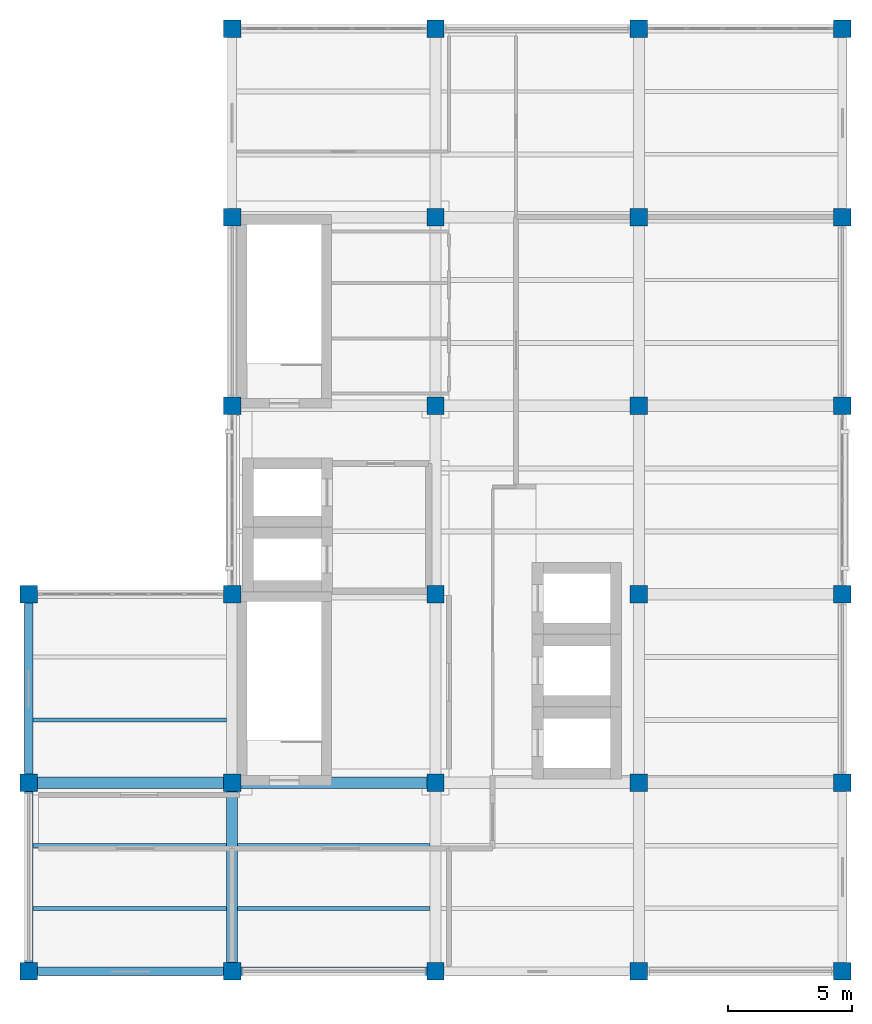
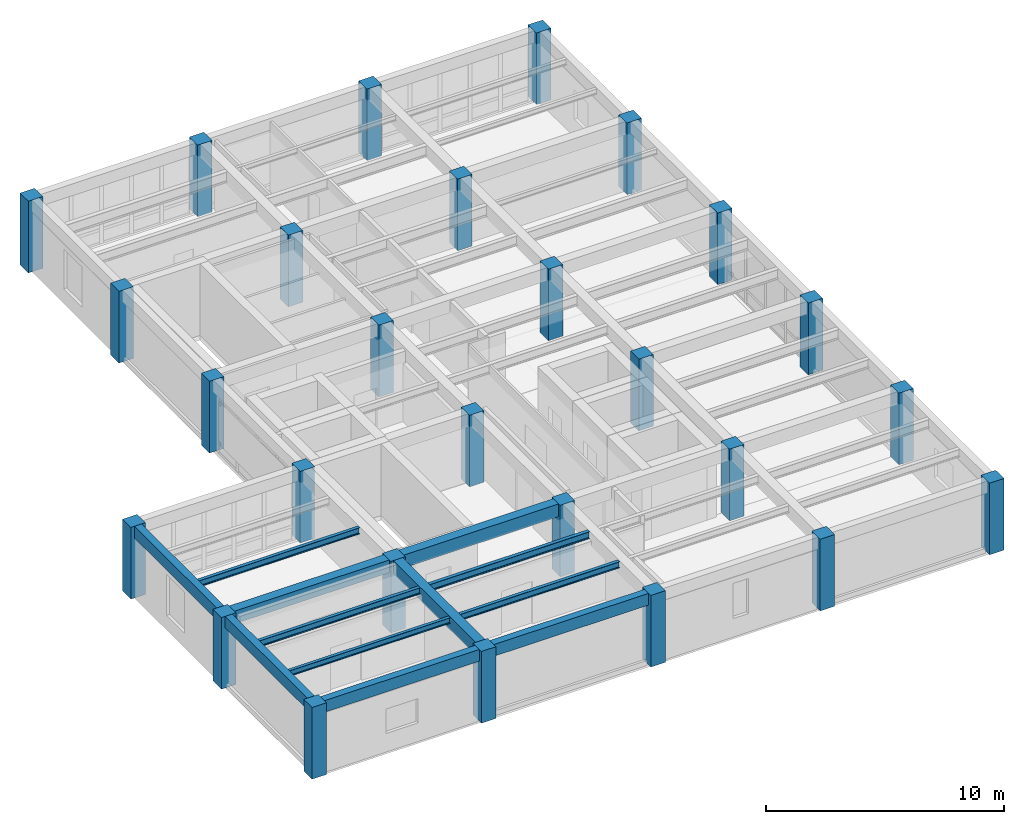
# One storey, part 1 of 8: 27 columns, 12 beams.
"""IFC4 building model written with IfcOpenShell, lengths in metres."""

from ifc_helpers import new_model, si_unit, direction, frame, origin, origin_2d, place, context, subcontext, project, spatial, rectangle, i_section, extrude, material, material_profile, profile_set, type_object, element, save


model = new_model("IFC4")

# Units and contexts
model_context = context("Model", 3, precision=1e-05, world=origin(), true_north=direction((0.0, 1.0)))
body_context = subcontext(model_context, "Body", "Model", "MODEL_VIEW")
ifc_project = project(units=[si_unit("LENGTHUNIT", "METRE"), si_unit("AREAUNIT", "SQUARE_METRE"), si_unit("VOLUMEUNIT", "CUBIC_METRE"), si_unit("PLANEANGLEUNIT", "RADIAN"), si_unit("MASSUNIT", "GRAM", prefix="KILO")], contexts=[model_context])

# Site, building, storey
site_placement = place(None, origin())
site = spatial("IfcSite", under=ifc_project, at=site_placement, CompositionType="ELEMENT")
building_placement = place(site_placement, origin())
building = spatial("IfcBuilding", under=site, at=building_placement, Name="Qandaris Square Conservatory and Botanical Centre", CompositionType="ELEMENT")
storey_placement = place(building_placement, frame((0.0, 0.0, 70.199951171875)))
storey = spatial("IfcBuildingStorey", under=building, at=storey_placement, Name="L16", CompositionType="ELEMENT", Elevation=70.199951171875)

# Columns
ifc_material_1 = material(Name="Concrete C50/60", Category="concrete")
ifc_material_profile_1 = material_profile(ifc_material_1, rectangle(XDim=0.699951171875, YDim=0.699951171875, at=origin_2d()), Name="RC-COL 700x700")
ifc_profile_set_1 = profile_set([ifc_material_profile_1], Name="Concrete C50/60")
column_type = type_object("IfcColumnType", Name="RC Column 700x700", PredefinedType="COLUMN", material=ifc_profile_set_1)
for number, where, z_axis, x_axis, name in (
    (1, (131.0, 16.60009765625, 0.0), (0.0, 0.0, 1.0), (1.0, 0.0, 0.0), "Column B16 (L16)"),
    (2, (131.0, 24.199951171875, 0.0), (0.0, 0.0, 1.0), (1.0, 0.0, 0.0), "Column C16 (L16)"),
    (3, (131.0, 31.800048828125, 0.0), (0.0, 0.0, 1.0), (1.0, 0.0, 0.0), "Column D16 (L16)"),
    (4, (139.199951171875, 16.60009765625, 0.0), (0.0, 0.0, 1.0), (1.0, 0.0, 0.0), "Column B17 (L16)"),
    (5, (139.199951171875, 24.199951171875, 0.0), (0.0, 0.0, 1.0), (1.0, 0.0, 0.0), "Column C17 (L16)"),
    (6, (139.199951171875, 31.800048828125, 0.0), (0.0, 0.0, 1.0), (1.0, 0.0, 0.0), "Column D17 (L16)"),
    (7, (139.199951171875, 39.39990234375, 0.0), (0.0, 0.0, 1.0), (1.0, 0.0, 0.0), "Column E17 (L16)"),
    (8, (139.199951171875, 47.0, 0.0), (0.0, 0.0, 1.0), (1.0, 0.0, 0.0), "Column F17 (L16)"),
    (9, (139.199951171875, 54.60009765625, 0.0), (0.0, 0.0, 1.0), (1.0, 0.0, 0.0), "Column G17 (L16)"),
    (10, (147.39990234375, 16.60009765625, 0.0), (0.0, 0.0, 1.0), (1.0, 0.0, 0.0), "Column B18 (L16)"),
    (11, (147.39990234375, 24.199951171875, 0.0), (0.0, 0.0, 1.0), (1.0, 0.0, 0.0), "Column C18 (L16)"),
    (12, (147.39990234375, 31.800048828125, 0.0), (0.0, 0.0, 1.0), (1.0, 0.0, 0.0), "Column D18 (L16)"),
    (13, (147.39990234375, 39.39990234375, 0.0), (0.0, 0.0, 1.0), (1.0, 0.0, 0.0), "Column E18 (L16)"),
    (14, (147.39990234375, 47.0, 0.0), (0.0, 0.0, 1.0), (1.0, 0.0, 0.0), "Column F18 (L16)"),
    (15, (147.39990234375, 54.60009765625, 0.0), (0.0, 0.0, 1.0), (1.0, 0.0, 0.0), "Column G18 (L16)"),
    (16, (155.60009765625, 16.60009765625, 0.0), (0.0, 0.0, 1.0), (1.0, 0.0, 0.0), "Column B19 (L16)"),
    (17, (155.60009765625, 24.199951171875, 0.0), (0.0, 0.0, 1.0), (1.0, 0.0, 0.0), "Column C19 (L16)"),
    (18, (155.60009765625, 31.800048828125, 0.0), (0.0, 0.0, 1.0), (1.0, 0.0, 0.0), "Column D19 (L16)"),
    (19, (155.60009765625, 39.39990234375, 0.0), (0.0, 0.0, 1.0), (1.0, 0.0, 0.0), "Column E19 (L16)"),
    (20, (155.60009765625, 47.0, 0.0), (0.0, 0.0, 1.0), (1.0, 0.0, 0.0), "Column F19 (L16)"),
    (21, (155.60009765625, 54.60009765625, 0.0), (0.0, 0.0, 1.0), (1.0, 0.0, 0.0), "Column G19 (L16)"),
    (22, (163.800048828125, 16.60009765625, 0.0), (0.0, 0.0, 1.0), (1.0, 0.0, 0.0), "Column B20 (L16)"),
    (23, (163.800048828125, 24.199951171875, 0.0), (0.0, 0.0, 1.0), (1.0, 0.0, 0.0), "Column C20 (L16)"),
    (24, (163.800048828125, 31.800048828125, 0.0), (0.0, 0.0, 1.0), (1.0, 0.0, 0.0), "Column D20 (L16)"),
    (25, (163.800048828125, 39.39990234375, 0.0), (0.0, 0.0, 1.0), (1.0, 0.0, 0.0), "Column E20 (L16)"),
    (26, (163.800048828125, 47.0, 0.0), (0.0, 0.0, 1.0), (1.0, 0.0, 0.0), "Column F20 (L16)"),
    (27, (163.800048828125, 54.60009765625, 0.0), (0.0, 0.0, 1.0), (1.0, 0.0, 0.0), "Column G20 (L16)"),
):
    element("IfcColumn", number, at=place(storey_placement, frame(where, z_axis=z_axis, x_axis=x_axis)), inside=storey, type_object=column_type, Name=name, PredefinedType="COLUMN", context=body_context, shape_type="SweptSolid", body=[
        extrude(rectangle(XDim=0.699951171875, YDim=0.699951171875, at=origin_2d()), origin(), (0.0, 0.0, 1.0), 3.670166015625),
    ])

# Beams
ifc_material_2 = material(Name="Steel S355", Category="steel")
ifc_material_profile_2 = material_profile(ifc_material_2, i_section(OverallWidth=0.14990234375, OverallDepth=0.300048828125, WebThickness=0.007080078125, FlangeThickness=0.0107421875, FilletRadius=0.014892578125, at=origin_2d()), Name="IPE 300")
ifc_profile_set_2 = profile_set([ifc_material_profile_2], Name="Steel S355")
beam_type_1 = type_object("IfcBeamType", Name="Composite Lab Joist IPE 300", PredefinedType="JOIST", material=ifc_profile_set_2)
beam_1_placement = place(storey_placement, frame((131.175048828125, 19.13330078125, 3.510009765625), z_axis=(1.0, 0.0, 0.0), x_axis=(0.0, 1.0, 0.0)))
element("IfcBeam", 28, at=beam_1_placement, inside=storey, type_object=beam_type_1, Name="L16 Composite Joist 3015", PredefinedType="JOIST", context=body_context, shape_type="SweptSolid", body=[
    extrude(i_section(OverallWidth=0.14990234375, OverallDepth=0.300048828125, WebThickness=0.007080078125, FlangeThickness=0.0107421875, FilletRadius=0.014892578125, at=origin_2d()), origin(), (0.0, 0.0, 1.0), 7.800048828125),
])
ifc_material_profile_3 = material_profile(ifc_material_2, i_section(OverallWidth=0.159912109375, OverallDepth=0.330078125, WebThickness=0.007568359375, FlangeThickness=0.011474609375, FilletRadius=0.01806640625, at=origin_2d()), Name="IPE 330")
ifc_profile_set_3 = profile_set([ifc_material_profile_3], Name="Steel S355")
beam_type_2 = type_object("IfcBeamType", Name="Composite Lab Joist IPE 330", PredefinedType="JOIST", material=ifc_profile_set_3)
for number, where, z_axis, x_axis, name in (
    (29, (131.175048828125, 21.666748046875, 3.4951171875), (1.0, 0.0, 0.0), (0.0, 1.0, 0.0), "L16 Composite Joist 3016"),
    (30, (131.175048828125, 26.7333984375, 3.4951171875), (1.0, 0.0, 0.0), (0.0, 1.0, 0.0), "L16 Composite Joist 3017"),
):
    element("IfcBeam", number, at=place(storey_placement, frame(where, z_axis=z_axis, x_axis=x_axis)), inside=storey, type_object=beam_type_2, Name=name, PredefinedType="JOIST", context=body_context, shape_type="SweptSolid", body=[
        extrude(i_section(OverallWidth=0.159912109375, OverallDepth=0.330078125, WebThickness=0.007568359375, FlangeThickness=0.011474609375, FilletRadius=0.01806640625, at=origin_2d()), origin(), (0.0, 0.0, 1.0), 7.800048828125),
    ])
beam_2_placement = place(storey_placement, frame((139.425048828125, 19.13330078125, 3.4951171875), z_axis=(1.0, 0.0, 0.0), x_axis=(0.0, 1.0, 0.0)))
element("IfcBeam", 31, at=beam_2_placement, inside=storey, type_object=beam_type_2, Name="L16 Composite Joist 3019", PredefinedType="JOIST", context=body_context, shape_type="SweptSolid", body=[
    extrude(i_section(OverallWidth=0.159912109375, OverallDepth=0.330078125, WebThickness=0.007568359375, FlangeThickness=0.011474609375, FilletRadius=0.01806640625, at=origin_2d()), origin(), (0.0, 0.0, 1.0), 7.75),
])
ifc_material_profile_4 = material_profile(ifc_material_2, i_section(OverallWidth=0.169921875, OverallDepth=0.360107421875, WebThickness=0.008056640625, FlangeThickness=0.0126953125, FilletRadius=0.01806640625, at=origin_2d()), Name="IPE 360")
ifc_profile_set_4 = profile_set([ifc_material_profile_4], Name="Steel S355")
beam_type_3 = type_object("IfcBeamType", Name="Composite Lab Joist IPE 360", PredefinedType="JOIST", material=ifc_profile_set_4)
beam_3_placement = place(storey_placement, frame((139.425048828125, 21.666748046875, 3.47998046875), z_axis=(1.0, 0.0, 0.0), x_axis=(0.0, 1.0, 0.0)))
element("IfcBeam", 32, at=beam_3_placement, inside=storey, type_object=beam_type_3, Name="L16 Composite Joist 3020", PredefinedType="JOIST", context=body_context, shape_type="SweptSolid", body=[
    extrude(i_section(OverallWidth=0.169921875, OverallDepth=0.360107421875, WebThickness=0.008056640625, FlangeThickness=0.0126953125, FilletRadius=0.01806640625, at=origin_2d()), origin(), (0.0, 0.0, 1.0), 7.75),
])
ifc_material_profile_5 = material_profile(ifc_material_1, rectangle(XDim=0.35009765625, YDim=0.60009765625, at=origin_2d()), Name="RC-SP 350x600")
ifc_profile_set_5 = profile_set([ifc_material_profile_5], Name="Concrete C50/60")
beam_type_4 = type_object("IfcBeamType", Name="RC Edge Spandrel Beam 350x600", PredefinedType="SPANDREL", material=ifc_profile_set_5)
for number, where, z_axis, x_axis, name in (
    (33, (131.0, 16.60009765625, 3.3701171875), (1.0, 0.0, 0.0), (0.0, 1.0, 0.0), "L16 Frame Beam 2973"),
    (34, (139.199951171875, 16.60009765625, 3.3701171875), (1.0, 0.0, 0.0), (0.0, 1.0, 0.0), "L16 Frame Beam 2974"),
):
    element("IfcBeam", number, at=place(storey_placement, frame(where, z_axis=z_axis, x_axis=x_axis)), inside=storey, type_object=beam_type_4, Name=name, PredefinedType="SPANDREL", context=body_context, shape_type="SweptSolid", body=[
        extrude(rectangle(XDim=0.35009765625, YDim=0.60009765625, at=origin_2d()), origin(), (0.0, 0.0, 1.0), 8.199951171875),
    ])
beam_4_placement = place(storey_placement, frame((131.0, 16.60009765625, 3.3701171875), z_axis=(0.0, 1.0, 0.0), x_axis=(-1.0, 0.0, 0.0)))
element("IfcBeam", 35, at=beam_4_placement, inside=storey, type_object=beam_type_4, Name="L16 Frame Beam 2993", PredefinedType="SPANDREL", context=body_context, shape_type="SweptSolid", body=[
    extrude(rectangle(XDim=0.35009765625, YDim=0.60009765625, at=origin_2d()), origin(), (0.0, 0.0, 1.0), 7.599853515625),
])
beam_5_placement = place(storey_placement, frame((131.0, 24.199951171875, 3.3701171875), z_axis=(0.0, 1.0, 0.0), x_axis=(-1.0, 0.0, 0.0)))
element("IfcBeam", 36, at=beam_5_placement, inside=storey, type_object=beam_type_4, Name="L16 Frame Beam 2994", PredefinedType="SPANDREL", context=body_context, shape_type="SweptSolid", body=[
    extrude(rectangle(XDim=0.35009765625, YDim=0.60009765625, at=origin_2d()), origin(), (0.0, 0.0, 1.0), 7.60009765625),
])
ifc_material_profile_6 = material_profile(ifc_material_1, rectangle(XDim=0.449951171875, YDim=0.64990234375, at=origin_2d()), Name="RC-BM 450x650")
ifc_profile_set_6 = profile_set([ifc_material_profile_6], Name="Concrete C50/60")
beam_type_5 = type_object("IfcBeamType", Name="RC Floor Girder 450x650", PredefinedType="BEAM", material=ifc_profile_set_6)
for number, where, z_axis, x_axis, name in (
    (37, (131.0, 24.199951171875, 3.344970703125), (1.0, 0.0, 0.0), (0.0, 1.0, 0.0), "L16 Frame Beam 2977"),
    (38, (139.199951171875, 24.199951171875, 3.344970703125), (1.0, 0.0, 0.0), (0.0, 1.0, 0.0), "L16 Frame Beam 2978"),
):
    element("IfcBeam", number, at=place(storey_placement, frame(where, z_axis=z_axis, x_axis=x_axis)), inside=storey, type_object=beam_type_5, Name=name, PredefinedType="BEAM", context=body_context, shape_type="SweptSolid", body=[
        extrude(rectangle(XDim=0.449951171875, YDim=0.64990234375, at=origin_2d()), origin(), (0.0, 0.0, 1.0), 8.199951171875),
    ])
beam_6_placement = place(storey_placement, frame((139.199951171875, 16.60009765625, 3.344970703125), z_axis=(0.0, 1.0, 0.0), x_axis=(-1.0, 0.0, 0.0)))
element("IfcBeam", 39, at=beam_6_placement, inside=storey, type_object=beam_type_5, Name="L16 Frame Beam 2995", PredefinedType="BEAM", context=body_context, shape_type="SweptSolid", body=[
    extrude(rectangle(XDim=0.449951171875, YDim=0.64990234375, at=origin_2d()), origin(), (0.0, 0.0, 1.0), 7.599853515625),
])

save(model, "model.ifc")
